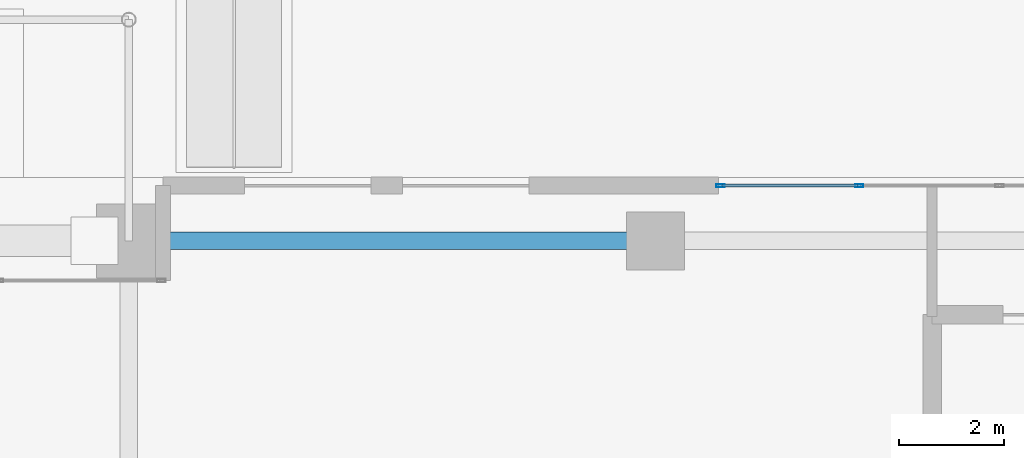
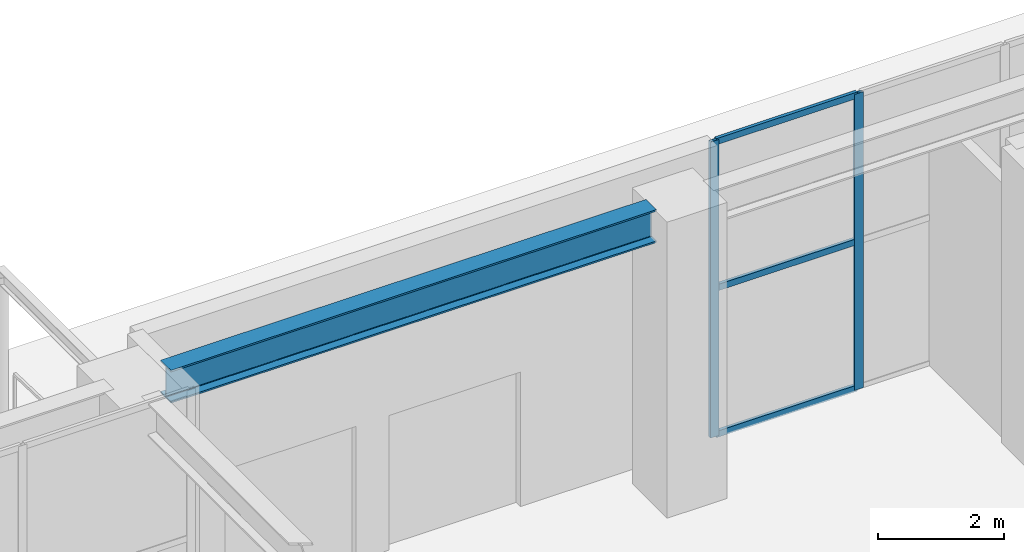
# One storey, part 30 of 49: 5 members, 1 beam, 1 element without a shape of its own.
"""IFC4 building model written with IfcOpenShell, lengths in metres."""

from ifc_helpers import new_model, si_unit, direction, frame, origin, origin_2d, place, context, subcontext, project, spatial, hollow_rectangle, i_section, extrude, material, layer, layer_set, material_profile, profile_set, type_object, element, aggregate, save


model = new_model("IFC4")

# Units and contexts
model_context = context("Model", 3, precision=1e-05, world=origin(), true_north=direction((0.0, 1.0)))
body_context = subcontext(model_context, "Body", "Model", "MODEL_VIEW")
ifc_project = project(units=[si_unit("LENGTHUNIT", "METRE"), si_unit("AREAUNIT", "SQUARE_METRE"), si_unit("VOLUMEUNIT", "CUBIC_METRE"), si_unit("PLANEANGLEUNIT", "RADIAN"), si_unit("MASSUNIT", "GRAM", prefix="KILO")], contexts=[model_context])

# Site, building, storey
site_placement = place(None, origin())
site = spatial("IfcSite", under=ifc_project, at=site_placement, CompositionType="ELEMENT")
building_placement = place(site_placement, origin())
building = spatial("IfcBuilding", under=site, at=building_placement, Name="Sarneth Arch Tower", CompositionType="ELEMENT")
storey_placement = place(building_placement, origin())
storey = spatial("IfcBuildingStorey", under=building, at=storey_placement, Name="L00", CompositionType="ELEMENT", Elevation=0.0)

# Beam
ifc_material_1 = material(Name="Steel S355", Category="steel")
ifc_material_profile_1 = material_profile(ifc_material_1, i_section(OverallWidth=0.3291015625, OverallDepth=0.635009765625, WebThickness=0.017822265625, FlangeThickness=0.031005859375, FilletRadius=0.01904296875, at=origin_2d()), Name="W610x241")
ifc_profile_set_1 = profile_set([ifc_material_profile_1], Name="Steel S355")
beam_type = type_object("IfcBeamType", Name="BM-POD-610", PredefinedType="BEAM", material=ifc_profile_set_1)
beam_placement = place(storey_placement, frame((66.6044921875, 74.800048828125, 5.402587890625), z_axis=(1.0, 0.0, 0.0), x_axis=(0.0, 1.0, 0.0)))
element("IfcBeam", 1, at=beam_placement, inside=storey, type_object=beam_type, Name="L00 Podium PN girder 7", PredefinedType="BEAM", context=body_context, shape_type="SweptSolid", body=[
    extrude(i_section(OverallWidth=0.3291015625, OverallDepth=0.635009765625, WebThickness=0.017822265625, FlangeThickness=0.031005859375, FilletRadius=0.01904296875, at=origin_2d()), origin(), (0.0, 0.0, 1.0), 8.87548828125),
])

# Curtain wall, members
ifc_material_2 = material(Name="Anodised aluminium Type AA25 and solar-control low-e laminated IGU", Category="aluminium")
ifc_layer = layer(ifc_material_2, 0.199951171875)
ifc_layer_set = layer_set([ifc_layer], Name="Anodised aluminium Type AA25 and solar-control low-e laminated IGU")
curtain_wall_type = type_object("IfcCurtainWallType", Name="CW-ARCH-GLAZE", PredefinedType="NOTDEFINED", material=ifc_layer_set)
curtain_wall_placement = place(storey_placement, origin())
curtain_wall = element("IfcCurtainWall", 2, at=curtain_wall_placement, inside=storey, type_object=curtain_wall_type, Name="L00 Podium bay curtain wall NE", PredefinedType="NOTDEFINED")
ifc_material_3 = material(Name="Anodised Aluminium 6063-T6", Category="aluminium")
ifc_material_profile_2 = material_profile(ifc_material_3, hollow_rectangle(XDim=0.06005859375, YDim=0.159912109375, WallThickness=0.00390625, at=origin_2d()), Name="AL-MULL-160x60x4")
ifc_profile_set_2 = profile_set([ifc_material_profile_2], Name="Anodised Aluminium 6063-T6")
member_type_1 = type_object("IfcMemberType", Name="CW-MULLION", PredefinedType="MULLION", material=ifc_profile_set_2)
member_1_placement = place(storey_placement, frame((79.86669921875, 75.85009765625, 0.0), z_axis=(0.0, 0.0, 1.0), x_axis=(0.0, -1.0, 0.0)))
member_1 = element("IfcMember", 3, at=member_1_placement, type_object=member_type_1, Name="CW-SYS-2 mullion 3", PredefinedType="MULLION", context=body_context, shape_type="SweptSolid", body=[
    extrude(hollow_rectangle(XDim=0.06005859375, YDim=0.159912109375, WallThickness=0.00390625, at=origin_2d()), origin(), (0.0, 0.0, 1.0), 5.719970703125),
])
member_2_placement = place(storey_placement, frame((77.22998046875, 75.85009765625, 0.0), z_axis=(0.0, 0.0, 1.0), x_axis=(0.0, -1.0, 0.0)))
member_2 = element("IfcMember", 4, at=member_2_placement, type_object=member_type_1, Name="CW-SYS-2 mullion 4", PredefinedType="MULLION", context=body_context, shape_type="SweptSolid", body=[
    extrude(hollow_rectangle(XDim=0.06005859375, YDim=0.159912109375, WallThickness=0.00390625, at=origin_2d()), origin(), (0.0, 0.0, 1.0), 5.719970703125),
])
ifc_material_4 = material(Name="Anodised Aluminium 6063-T6", Category="aluminium")
ifc_material_profile_3 = material_profile(ifc_material_4, hollow_rectangle(XDim=0.06005859375, YDim=0.1201171875, WallThickness=0.00390625, at=origin_2d()), Name="AL-TRAN-120x60x4")
ifc_profile_set_3 = profile_set([ifc_material_profile_3], Name="Anodised Aluminium 6063-T6")
member_type_2 = type_object("IfcMemberType", Name="CW-TRANSOM", PredefinedType="USERDEFINED", material=ifc_profile_set_3)
member_3_placement = place(storey_placement, frame((79.836669921875, 75.85009765625, 0.030029296875), z_axis=(-1.0, 0.0, 0.0), x_axis=(0.0, -1.0, 0.0)))
member_3 = element("IfcMember", 5, at=member_3_placement, type_object=member_type_2, Name="CW-SYS-2 transom 3.1", ObjectType="TRANSOM", PredefinedType="USERDEFINED", context=body_context, shape_type="SweptSolid", body=[
    extrude(hollow_rectangle(XDim=0.06005859375, YDim=0.1201171875, WallThickness=0.00390625, at=origin_2d()), origin(), (0.0, 0.0, 1.0), 2.57666015625),
])
member_4_placement = place(storey_placement, frame((79.836669921875, 75.85009765625, 2.860107421875), z_axis=(-1.0, 0.0, 0.0), x_axis=(0.0, -1.0, 0.0)))
member_4 = element("IfcMember", 6, at=member_4_placement, type_object=member_type_2, Name="CW-SYS-2 transom 3.2", ObjectType="TRANSOM", PredefinedType="USERDEFINED", context=body_context, shape_type="SweptSolid", body=[
    extrude(hollow_rectangle(XDim=0.06005859375, YDim=0.1201171875, WallThickness=0.00390625, at=origin_2d()), origin(), (0.0, 0.0, 1.0), 2.57666015625),
])
member_5_placement = place(storey_placement, frame((79.836669921875, 75.85009765625, 5.68994140625), z_axis=(-1.0, 0.0, 0.0), x_axis=(0.0, -1.0, 0.0)))
member_5 = element("IfcMember", 7, at=member_5_placement, type_object=member_type_2, Name="CW-SYS-2 transom 3.3", ObjectType="TRANSOM", PredefinedType="USERDEFINED", context=body_context, shape_type="SweptSolid", body=[
    extrude(hollow_rectangle(XDim=0.06005859375, YDim=0.1201171875, WallThickness=0.00390625, at=origin_2d()), origin(), (0.0, 0.0, 1.0), 2.57666015625),
])
aggregate(curtain_wall, [member_1, member_2, member_3, member_4, member_5])

save(model, "model.ifc")
